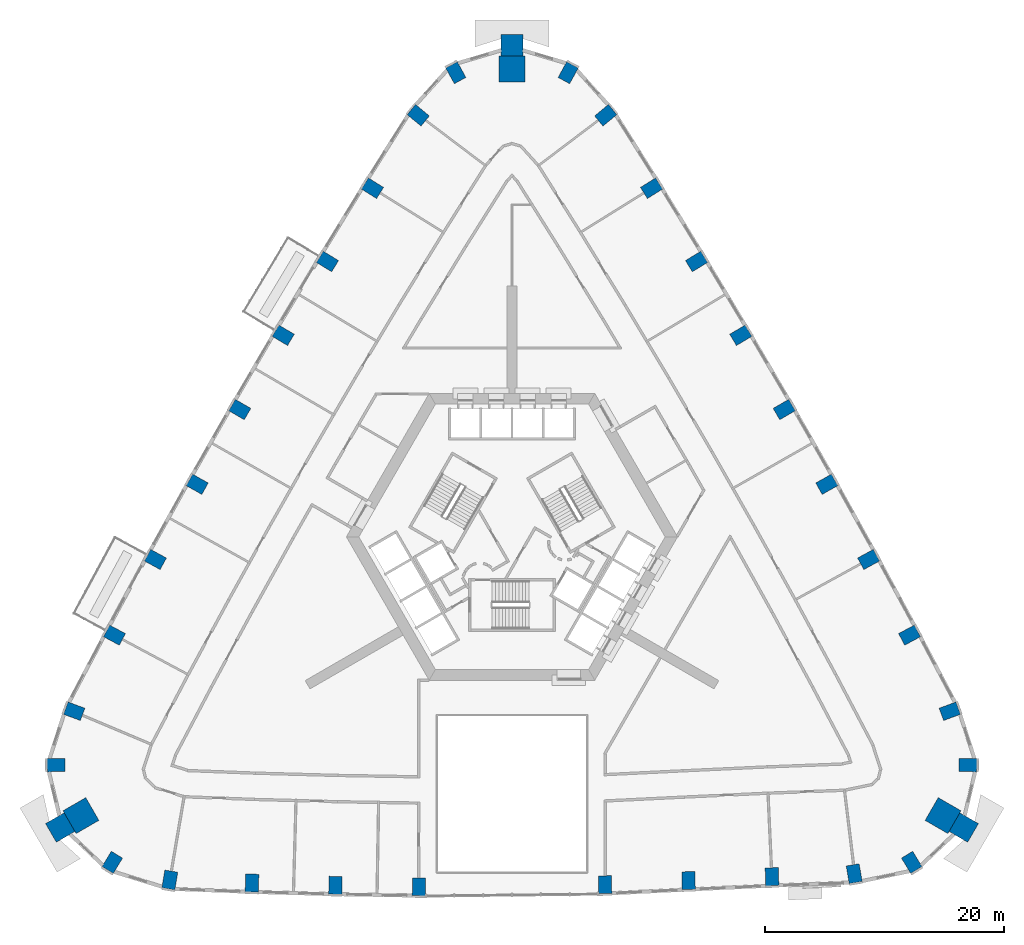
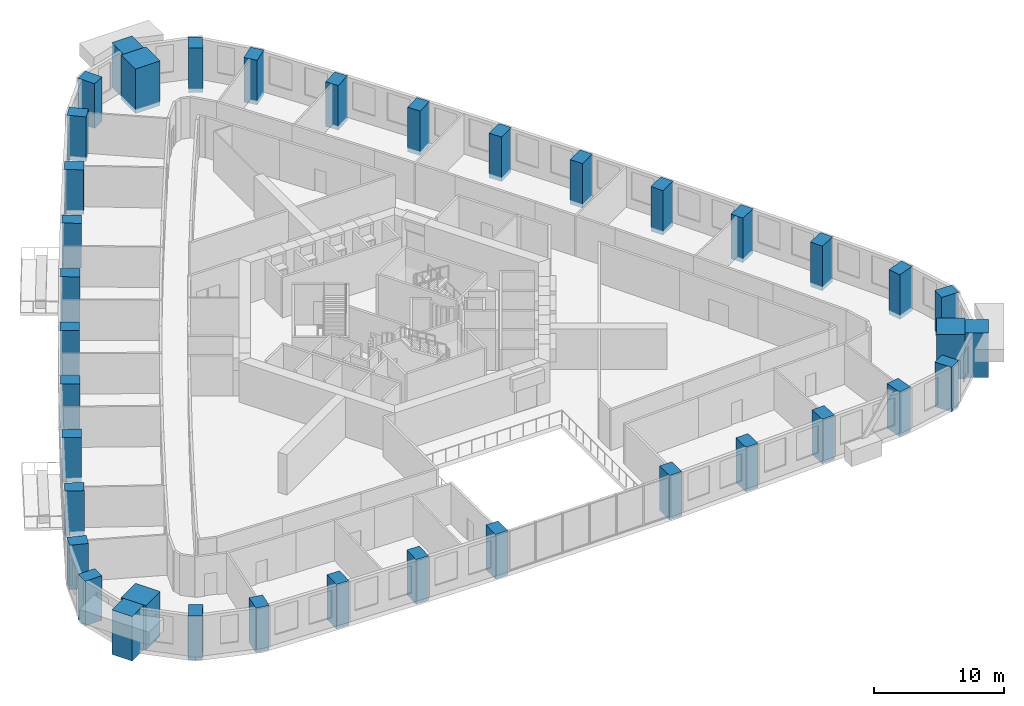
# One storey, part 1 of 15: 38 columns.
"""IFC4 building model written with IfcOpenShell, lengths in metres."""

from ifc_helpers import new_model, si_unit, direction, frame, origin, origin_2d, place, context, subcontext, project, spatial, rectangle, extrude, material, material_profile, profile_set, type_object, element, save


model = new_model("IFC4")

# Units and contexts
model_context = context("Model", 3, precision=1e-05, world=origin(), true_north=direction((0.0, 1.0)))
body_context = subcontext(model_context, "Body", "Model", "MODEL_VIEW")
ifc_project = project(units=[si_unit("LENGTHUNIT", "METRE"), si_unit("AREAUNIT", "SQUARE_METRE"), si_unit("VOLUMEUNIT", "CUBIC_METRE"), si_unit("PLANEANGLEUNIT", "RADIAN"), si_unit("MASSUNIT", "GRAM", prefix="KILO")], contexts=[model_context])

# Site, building, storey
site_placement = place(None, origin())
site = spatial("IfcSite", under=ifc_project, at=site_placement, CompositionType="ELEMENT")
building_placement = place(site_placement, origin())
building = spatial("IfcBuilding", under=site, at=building_placement, Name="Entoto Arch Interchange Tower", CompositionType="ELEMENT")
storey_placement = place(building_placement, frame((0.0, 0.0, 120.199951171875)))
storey = spatial("IfcBuildingStorey", under=building, at=storey_placement, Name="L26", CompositionType="ELEMENT", Elevation=120.199951171875)

# Columns
ifc_material_1 = material(Name="Concrete C60/75", Category="concrete")
ifc_material_profile_1 = material_profile(ifc_material_1, rectangle(XDim=1.10009765625, YDim=1.5, at=origin_2d()))
ifc_profile_set_1 = profile_set([ifc_material_profile_1], Name="Concrete C60/75")
column_type_1 = type_object("IfcColumnType", Name="Column RC 1100x1500 C60/75", PredefinedType="COLUMN", material=ifc_profile_set_1)
for number, where, z_axis, x_axis, name in (
    (1, (-28.633056640625, -26.214111328125, -0.39990234375), (0.0, 0.0, 1.0), (-0.985759288085, 0.168162498658, 0.0), "Column S01 L26"),
    (2, (-21.757080078125, -26.469970703125, -0.39990234375), (0.0, 0.0, 1.0), (-0.999373652571, 0.035387887008, 0.0), "Column S02 L26"),
    (3, (-14.77294921875, -26.662109375, -0.39990234375), (0.0, 0.0, 1.0), (-0.999711216939, 0.024030870297, 0.0), "Column S03 L26"),
    (4, (-7.7919921875, -26.781982421875, -0.39990234375), (0.0, 0.0, 1.0), (-0.999958020206, 0.009162850353, 0.0), "Column S04 L26"),
    (5, (7.7919921875, -26.610107421875, -0.39990234375), (0.0, 0.0, 1.0), (0.999958020206, 0.009162850353, 0.0), "Column S05 L26"),
    (6, (14.77294921875, -26.26708984375, -0.39990234375), (0.0, 0.0, 1.0), (0.999711216939, 0.024030870297, 0.0), "Column S06 L26"),
    (7, (21.757080078125, -25.94189453125, -0.39990234375), (0.0, 0.0, 1.0), (0.999373652571, 0.035387887008, 0.0), "Column S07 L26"),
    (8, (28.633056640625, -25.68603515625, -0.39990234375), (0.0, 0.0, 1.0), (0.985759288085, 0.168162498658, 0.0), "Column S08 L26"),
    (9, (33.447021484375, -24.737060546875, -0.39990234375), (0.0, 0.0, 1.0), (0.854095929175, 0.520115510024, 0.0), "Column SE1 L26"),
    (10, (38.14697265625, -16.596923828125, -0.39990234375), (0.0, 0.0, 1.0), (0.023385279996, 0.999726526946, 0.0), "Column SE3 L26"),
    (11, (36.635009765625, -12.095947265625, -0.39990234375), (0.0, 0.0, 1.0), (-0.347312116358, 0.937749590152, 0.0), "Column NE01 L26"),
    (12, (33.26611328125, -5.72607421875, -0.39990234375), (0.0, 0.0, 1.0), (-0.469332863911, 0.883021326386, 0.0), "Column NE02 L26"),
    (13, (29.837890625, 0.60400390625, -0.39990234375), (0.0, 0.0, 1.0), (-0.479611016922, 0.87748120917, 0.0), "Column NE03 L26"),
    (14, (26.341064453125, 6.89599609375, -0.39990234375), (0.0, 0.0, 1.0), (-0.489838999048, 0.87181291285, 0.0), "Column NE04 L26"),
    (15, (22.777099609375, 13.14990234375, -0.39990234375), (0.0, 0.0, 1.0), (-0.5, 0.866025403784, 0.0), "Column NE05 L26"),
    (16, (19.14306640625, 19.364013671875, -0.39990234375), (0.0, 0.0, 1.0), (-0.510092630351, 0.860119473365, 0.0), "Column NE06 L26"),
    (17, (15.44189453125, 25.5390625, -0.39990234375), (0.0, 0.0, 1.0), (-0.520115510024, 0.854095929175, 0.0), "Column NE07 L26"),
    (18, (11.675048828125, 31.673095703125, -0.39990234375), (0.0, 0.0, 1.0), (-0.530067268476, 0.847955594881, 0.0), "Column NE08 L26"),
    (19, (7.842041015625, 37.77392578125, -0.39990234375), (0.0, 0.0, 1.0), (-0.638458909281, 0.769655910885, 0.0), "Column NE09 L26"),
    (20, (4.699951171875, 41.333984375, -0.39990234375), (0.0, 0.0, 1.0), (-0.87748120917, 0.479611016922, 0.0), "Column N1 L26"),
    (21, (-4.699951171875, 41.333984375, -0.39990234375), (0.0, 0.0, 1.0), (0.87748120917, 0.479611016922, 0.0), "Column N3 L26"),
    (22, (-7.842041015625, 37.77392578125, -0.39990234375), (0.0, 0.0, 1.0), (0.638458909281, 0.769655910885, 0.0), "Column NW01 L26"),
    (23, (-11.675048828125, 31.673095703125, -0.39990234375), (0.0, 0.0, 1.0), (0.530067268476, 0.847955594881, 0.0), "Column NW02 L26"),
    (24, (-15.44189453125, 25.5390625, -0.39990234375), (0.0, 0.0, 1.0), (0.520115510024, 0.854095929175, 0.0), "Column NW03 L26"),
    (25, (-19.14306640625, 19.364013671875, -0.39990234375), (0.0, 0.0, 1.0), (0.510092630351, 0.860119473365, 0.0), "Column NW04 L26"),
    (26, (-22.777099609375, 13.14990234375, -0.39990234375), (0.0, 0.0, 1.0), (0.5, 0.866025403784, 0.0), "Column NW05 L26"),
    (27, (-26.341064453125, 6.89599609375, -0.39990234375), (0.0, 0.0, 1.0), (0.489838999048, 0.87181291285, 0.0), "Column NW06 L26"),
    (28, (-29.837890625, 0.60400390625, -0.39990234375), (0.0, 0.0, 1.0), (0.479611016922, 0.87748120917, 0.0), "Column NW07 L26"),
    (29, (-33.26611328125, -5.72607421875, -0.39990234375), (0.0, 0.0, 1.0), (0.469332863911, 0.883021326386, 0.0), "Column NW08 L26"),
    (30, (-36.635009765625, -12.095947265625, -0.39990234375), (0.0, 0.0, 1.0), (0.347312116358, 0.937749590152, 0.0), "Column NW09 L26"),
    (31, (-38.14697265625, -16.596923828125, -0.39990234375), (0.0, 0.0, 1.0), (-0.023385279996, 0.999726526946, 0.0), "Column SW1 L26"),
    (32, (-33.447021484375, -24.737060546875, -0.39990234375), (0.0, 0.0, 1.0), (-0.854095929175, 0.520115510024, 0.0), "Column SW3 L26"),
):
    element("IfcColumn", number, at=place(storey_placement, frame(where, z_axis=z_axis, x_axis=x_axis)), inside=storey, type_object=column_type_1, Name=name, PredefinedType="COLUMN", context=body_context, shape_type="SweptSolid", body=[
        extrude(rectangle(XDim=1.10009765625, YDim=1.5, at=origin_2d()), origin(), (0.0, 0.0, 1.0), 4.199951171875),
    ])
ifc_material_2 = material(Name="Precast concrete C40/50", Category="concrete")
ifc_material_profile_2 = material_profile(ifc_material_2, rectangle(XDim=1.800048828125, YDim=1.800048828125, at=origin_2d()))
ifc_profile_set_2 = profile_set([ifc_material_profile_2], Name="Precast concrete C40/50")
column_type_2 = type_object("IfcColumnType", Name="Frame post RC 1800x1800 precast C40/50", PredefinedType="COLUMN", material=ifc_profile_set_2)
for number, where, z_axis, x_axis, name in (
    (33, (37.801025390625, -21.824951171875, -0.39990234375), (0.0, 0.0, 1.0), (-0.866025403784, 0.5, 0.0), "Frame post SE L26"),
    (34, (0.0, 43.64892578125, -0.39990234375), (0.0, 0.0, 1.0), (0.0, 1.0, 0.0), "Frame post N L26"),
    (35, (-37.801025390625, -21.824951171875, -0.39990234375), (0.0, 0.0, 1.0), (0.866025403784, 0.5, 0.0), "Frame post SW L26"),
):
    element("IfcColumn", number, at=place(storey_placement, frame(where, z_axis=z_axis, x_axis=x_axis)), inside=storey, type_object=column_type_2, Name=name, PredefinedType="COLUMN", context=body_context, shape_type="SweptSolid", body=[
        extrude(rectangle(XDim=1.800048828125, YDim=1.800048828125, at=origin_2d()), origin(), (0.0, 0.0, 1.0), 4.199951171875),
    ])
ifc_material_profile_3 = material_profile(ifc_material_1, rectangle(XDim=2.199951171875, YDim=2.199951171875, at=origin_2d()))
ifc_profile_set_3 = profile_set([ifc_material_profile_3], Name="Concrete C60/75")
column_type_3 = type_object("IfcColumnType", Name="Mega column RC 2200x2200 C60/75", PredefinedType="COLUMN", material=ifc_profile_set_3)
for number, where, z_axis, x_axis, name in (
    (36, (36.069091796875, -20.824951171875, -0.39990234375), (0.0, 0.0, 1.0), (-0.866025403784, 0.5, 0.0), "Corner mega column SE2 L26"),
    (37, (0.0, 41.64892578125, -0.39990234375), (0.0, 0.0, 1.0), (0.0, 1.0, 0.0), "Corner mega column N2 L26"),
    (38, (-36.069091796875, -20.824951171875, -0.39990234375), (0.0, 0.0, 1.0), (0.866025403784, 0.5, 0.0), "Corner mega column SW2 L26"),
):
    element("IfcColumn", number, at=place(storey_placement, frame(where, z_axis=z_axis, x_axis=x_axis)), inside=storey, type_object=column_type_3, Name=name, PredefinedType="COLUMN", context=body_context, shape_type="SweptSolid", body=[
        extrude(rectangle(XDim=2.199951171875, YDim=2.199951171875, at=origin_2d()), origin(), (0.0, 0.0, 1.0), 4.199951171875),
    ])

save(model, "model.ifc")
